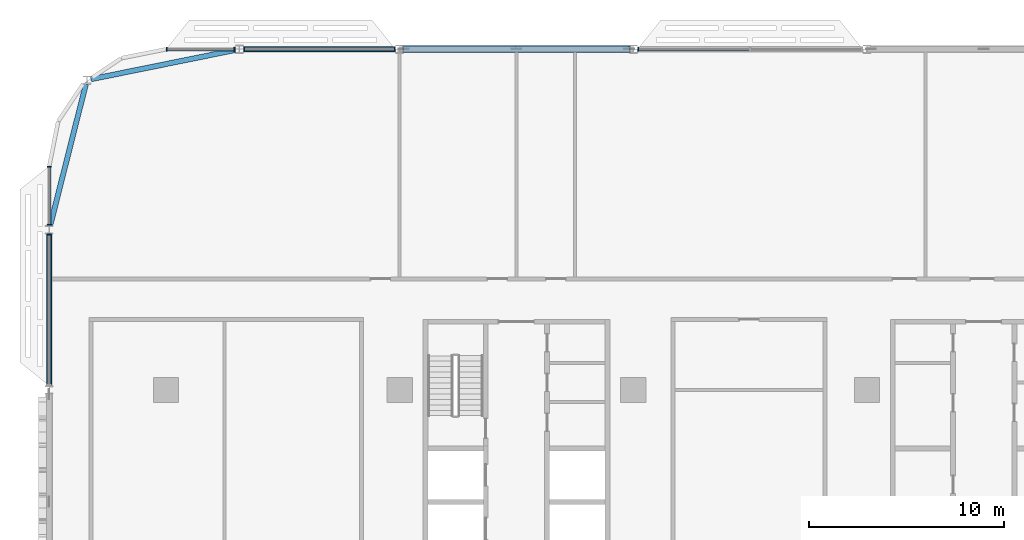
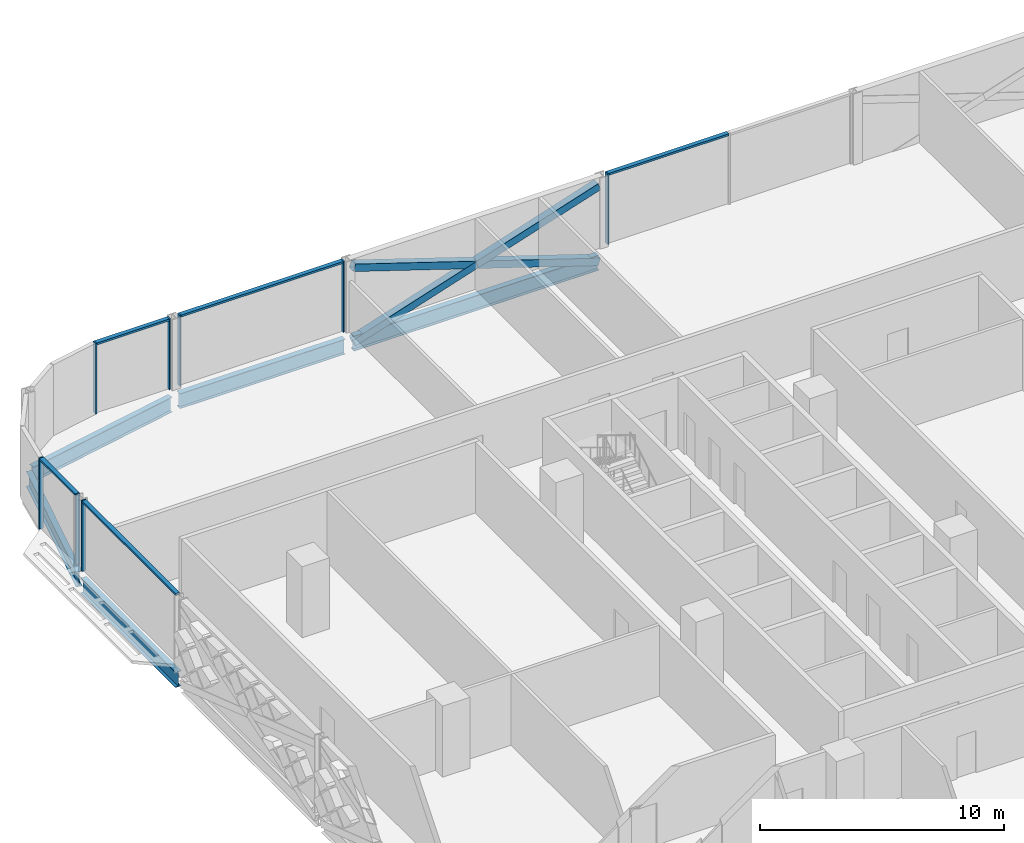
# One storey, part 6 of 29: 16 members, 5 beams, 5 elements without a shape of their own.
"""IFC4 building model written with IfcOpenShell, lengths in metres."""

from ifc_helpers import new_model, si_unit, direction, frame, origin, origin_2d, place, context, subcontext, project, spatial, rectangle, hollow_rectangle, i_section, extrude, material, material_profile, profile_set, type_object, element, aggregate, save


model = new_model("IFC4")

# Units and contexts
model_context = context("Model", 3, precision=1e-05, world=origin(), true_north=direction((0.0, 1.0)))
body_context = subcontext(model_context, "Body", "Model", "MODEL_VIEW")
ifc_project = project(units=[si_unit("LENGTHUNIT", "METRE"), si_unit("AREAUNIT", "SQUARE_METRE"), si_unit("VOLUMEUNIT", "CUBIC_METRE"), si_unit("PLANEANGLEUNIT", "RADIAN"), si_unit("MASSUNIT", "GRAM", prefix="KILO")], contexts=[model_context])

# Site, building, storey
site_placement = place(None, origin())
site = spatial("IfcSite", under=ifc_project, at=site_placement, CompositionType="ELEMENT")
building_placement = place(site_placement, origin())
building = spatial("IfcBuilding", under=site, at=building_placement, Name="Mahtab Terrace Research Tower", CompositionType="ELEMENT")
storey_placement = place(building_placement, frame((0.0, 0.0, 150.699951171875)))
storey = spatial("IfcBuildingStorey", under=building, at=storey_placement, Name="L35", CompositionType="ELEMENT", Elevation=150.699951171875)

# Members
ifc_material_1 = material(Name="Steel ASTM A500 Gr C", Category="steel")
ifc_material_profile_1 = material_profile(ifc_material_1, hollow_rectangle(XDim=0.355712890625, YDim=0.355712890625, WallThickness=0.01904296875, at=origin_2d()), Name="HSS14X14X3/4")
ifc_profile_set_1 = profile_set([ifc_material_profile_1], Name="Steel ASTM A500 Gr C")
member_type_1 = type_object("IfcMemberType", Name="HSS 14x14x3/4 brace XB141434", PredefinedType="BRACE", material=ifc_profile_set_1)
member_1_placement = place(storey_placement, frame((-18.205810546875, 29.0, -0.651611328125), z_axis=(-0.951266203011, 0.0, 0.308370898448), x_axis=(0.0, -1.0, 0.0)))
element("IfcMember", 1, at=member_1_placement, inside=storey, type_object=member_type_1, Name="Exoskeleton brace L35 06 a", PredefinedType="BRACE", context=body_context, shape_type="SweptSolid", body=[
    extrude(hollow_rectangle(XDim=0.355712890625, YDim=0.355712890625, WallThickness=0.01904296875, at=origin_2d()), origin(), (0.0, 0.0, 1.0), 12.18212890625),
])
for number, where, z_axis, x_axis, name in (
    (2, (-29.794189453125, 29.0, -0.651611328125), (0.951272081758, 0.0, 0.308352763029), (0.0, 1.0, 0.0), "Exoskeleton brace L35 06 b1"),
    (3, (-24.0, 29.0, 1.2265625), (0.95126032399, 0.0, 0.308389033531), (0.0, 1.0, 0.0), "Exoskeleton brace L35 06 b2"),
):
    element("IfcMember", number, at=place(storey_placement, frame(where, z_axis=z_axis, x_axis=x_axis)), inside=storey, type_object=member_type_1, Name=name, PredefinedType="BRACE", context=body_context, shape_type="SweptSolid", body=[
        extrude(hollow_rectangle(XDim=0.355712890625, YDim=0.355712890625, WallThickness=0.01904296875, at=origin_2d()), origin(), (0.0, 0.0, 1.0), 6.091064453125),
    ])

# Curtain wall, member
ifc_material_2 = material(Name="Laboratory ribbon curtain wall")
curtain_wall_type = type_object("IfcCurtainWallType", Name="Laboratory ribbon curtain wall", PredefinedType="NOTDEFINED", material=ifc_material_2)
curtain_wall_1_placement = place(storey_placement, origin())
curtain_wall_1 = element("IfcCurtainWall", 4, at=curtain_wall_1_placement, inside=storey, type_object=curtain_wall_type, Name="EN.L35.3.7", PredefinedType="NOTDEFINED")
ifc_material_3 = material(Name="Natural anodised aluminium", Category="aluminium")
ifc_material_profile_2 = material_profile(ifc_material_3, rectangle(XDim=0.199951171875, YDim=0.06494140625, at=origin_2d()), Name="MULLION 65x200")
ifc_profile_set_2 = profile_set([ifc_material_profile_2], Name="Natural anodised aluminium")
member_type_2 = type_object("IfcMemberType", Name="Laboratory ribbon curtain wall mullion", PredefinedType="MULLION", material=ifc_profile_set_2)
member_2_placement = place(storey_placement, frame((-17.74951171875, 29.0, 0.0), z_axis=(0.0, 0.0, 1.0), x_axis=(0.0, -1.0, 0.0)))
member_2 = element("IfcMember", 5, at=member_2_placement, type_object=member_type_2, Name="CWL-4 mullion 3", PredefinedType="MULLION", context=body_context, shape_type="SweptSolid", body=[
    extrude(rectangle(XDim=0.199951171875, YDim=0.06494140625, at=origin_2d()), origin(), (0.0, 0.0, 1.0), 3.550048828125),
])

# Curtain wall, members
curtain_wall_2_placement = place(storey_placement, origin())
curtain_wall_2 = element("IfcCurtainWall", 6, at=curtain_wall_2_placement, inside=storey, type_object=curtain_wall_type, Name="EN.L35.3.9", PredefinedType="NOTDEFINED")
member_3_placement = place(storey_placement, frame((-30.25048828125, 29.0, 0.0), z_axis=(0.0, 0.0, 1.0), x_axis=(0.0, -1.0, 0.0)))
member_3 = element("IfcMember", 7, at=member_3_placement, type_object=member_type_2, Name="CWL-4 mullion 1", PredefinedType="MULLION", context=body_context, shape_type="SweptSolid", body=[
    extrude(rectangle(XDim=0.199951171875, YDim=0.06494140625, at=origin_2d()), origin(), (0.0, 0.0, 1.0), 3.550048828125),
])
member_4_placement = place(storey_placement, frame((-37.98046875, 29.0, 0.0), z_axis=(0.0, 0.0, 1.0), x_axis=(0.0, -1.0, 0.0)))
member_4 = element("IfcMember", 8, at=member_4_placement, type_object=member_type_2, Name="CWL-4 mullion 2", PredefinedType="MULLION", context=body_context, shape_type="SweptSolid", body=[
    extrude(rectangle(XDim=0.199951171875, YDim=0.06494140625, at=origin_2d()), origin(), (0.0, 0.0, 1.0), 3.550048828125),
])

curtain_wall_3_placement = place(storey_placement, origin())
curtain_wall_3 = element("IfcCurtainWall", 9, at=curtain_wall_3_placement, inside=storey, type_object=curtain_wall_type, Name="EN.L35.3.10", PredefinedType="NOTDEFINED")
member_5_placement = place(storey_placement, frame((-38.4814453125, 29.0, 0.0), z_axis=(0.0, 0.0, 1.0), x_axis=(0.0, -1.0, 0.0)))
member_5 = element("IfcMember", 10, at=member_5_placement, type_object=member_type_2, Name="CWL-4 mullion 1", PredefinedType="MULLION", context=body_context, shape_type="SweptSolid", body=[
    extrude(rectangle(XDim=0.199951171875, YDim=0.06494140625, at=origin_2d()), origin(), (0.0, 0.0, 1.0), 3.550048828125),
])
member_6_placement = place(storey_placement, frame((-41.967529296875, 29.0, 0.0), z_axis=(0.0, 0.0, 1.0), x_axis=(0.0, -1.0, 0.0)))
member_6 = element("IfcMember", 11, at=member_6_placement, type_object=member_type_2, Name="CWL-4 mullion 2", PredefinedType="MULLION", context=body_context, shape_type="SweptSolid", body=[
    extrude(rectangle(XDim=0.199951171875, YDim=0.06494140625, at=origin_2d()), origin(), (0.0, 0.0, 1.0), 3.550048828125),
])

curtain_wall_4_placement = place(storey_placement, origin())
curtain_wall_4 = element("IfcCurtainWall", 12, at=curtain_wall_4_placement, inside=storey, type_object=curtain_wall_type, Name="EN.L35.8.15", PredefinedType="NOTDEFINED")
member_7_placement = place(storey_placement, frame((-48.0, 22.967529296875, 0.0), z_axis=(0.0, 0.0, 1.0), x_axis=(1.0, 0.0, 0.0)))
member_7 = element("IfcMember", 13, at=member_7_placement, type_object=member_type_2, Name="CWL-4 mullion 1", PredefinedType="MULLION", context=body_context, shape_type="SweptSolid", body=[
    extrude(rectangle(XDim=0.199951171875, YDim=0.06494140625, at=origin_2d()), origin(), (0.0, 0.0, 1.0), 3.550048828125),
])
member_8_placement = place(storey_placement, frame((-48.0, 19.9814453125, 0.0), z_axis=(0.0, 0.0, 1.0), x_axis=(1.0, 0.0, 0.0)))
member_8 = element("IfcMember", 14, at=member_8_placement, type_object=member_type_2, Name="CWL-4 mullion 2", PredefinedType="MULLION", context=body_context, shape_type="SweptSolid", body=[
    extrude(rectangle(XDim=0.199951171875, YDim=0.06494140625, at=origin_2d()), origin(), (0.0, 0.0, 1.0), 3.550048828125),
])

# Curtain wall, member
curtain_wall_5_placement = place(storey_placement, origin())
curtain_wall_5 = element("IfcCurtainWall", 15, at=curtain_wall_5_placement, inside=storey, type_object=curtain_wall_type, Name="EN.L35.8.16", PredefinedType="NOTDEFINED")
member_9_placement = place(storey_placement, frame((-48.0, 19.48046875, 0.0), z_axis=(0.0, 0.0, 1.0), x_axis=(1.0, 0.0, 0.0)))
member_9 = element("IfcMember", 16, at=member_9_placement, type_object=member_type_2, Name="CWL-4 mullion 1", PredefinedType="MULLION", context=body_context, shape_type="SweptSolid", body=[
    extrude(rectangle(XDim=0.199951171875, YDim=0.06494140625, at=origin_2d()), origin(), (0.0, 0.0, 1.0), 3.550048828125),
])

# Member
ifc_material_profile_3 = material_profile(ifc_material_3, rectangle(XDim=0.199951171875, YDim=0.10009765625, at=origin_2d()), Name="TRANSOM 100x200")
ifc_profile_set_3 = profile_set([ifc_material_profile_3], Name="Natural anodised aluminium")
member_type_3 = type_object("IfcMemberType", Name="Laboratory ribbon curtain wall transom", PredefinedType="USERDEFINED", material=ifc_profile_set_3)
member_10_placement = place(storey_placement, frame((-12.032470703125, 29.0, 3.5), z_axis=(-1.0, 0.0, 0.0), x_axis=(0.0, -1.0, 0.0)))
member_10 = element("IfcMember", 17, at=member_10_placement, type_object=member_type_3, Name="CWL-4 transom 2", ObjectType="TRANSOM", PredefinedType="USERDEFINED", context=body_context, shape_type="SweptSolid", body=[
    extrude(rectangle(XDim=0.199951171875, YDim=0.10009765625, at=origin_2d()), origin(), (0.0, 0.0, 1.0), 5.6845703125),
])

aggregate(curtain_wall_1, [member_2, member_10])

member_11_placement = place(storey_placement, frame((-30.282958984375, 29.0, 3.5), z_axis=(-1.0, 0.0, 0.0), x_axis=(0.0, -1.0, 0.0)))
member_11 = element("IfcMember", 18, at=member_11_placement, type_object=member_type_3, Name="CWL-4 transom 1", ObjectType="TRANSOM", PredefinedType="USERDEFINED", context=body_context, shape_type="SweptSolid", body=[
    extrude(rectangle(XDim=0.199951171875, YDim=0.10009765625, at=origin_2d()), origin(), (0.0, 0.0, 1.0), 7.6650390625),
])

aggregate(curtain_wall_2, [member_3, member_4, member_11])

member_12_placement = place(storey_placement, frame((-38.513916015625, 29.0, 3.5), z_axis=(-1.0, 0.0, 0.0), x_axis=(0.0, -1.0, 0.0)))
member_12 = element("IfcMember", 19, at=member_12_placement, type_object=member_type_3, Name="CWL-4 transom 1", ObjectType="TRANSOM", PredefinedType="USERDEFINED", context=body_context, shape_type="SweptSolid", body=[
    extrude(rectangle(XDim=0.199951171875, YDim=0.10009765625, at=origin_2d()), origin(), (0.0, 0.0, 1.0), 3.421142578125),
])

aggregate(curtain_wall_3, [member_5, member_6, member_12])

member_13_placement = place(storey_placement, frame((-48.0, 22.93505859375, 3.5), z_axis=(0.0, -1.0, 0.0), x_axis=(1.0, 0.0, 0.0)))
member_13 = element("IfcMember", 20, at=member_13_placement, type_object=member_type_3, Name="CWL-4 transom 1", ObjectType="TRANSOM", PredefinedType="USERDEFINED", context=body_context, shape_type="SweptSolid", body=[
    extrude(rectangle(XDim=0.199951171875, YDim=0.10009765625, at=origin_2d()), origin(), (0.0, 0.0, 1.0), 2.921142578125),
])

aggregate(curtain_wall_4, [member_7, member_8, member_13])

member_14_placement = place(storey_placement, frame((-48.0, 19.447998046875, 3.5), z_axis=(0.0, -1.0, 0.0), x_axis=(1.0, 0.0, 0.0)))
member_14 = element("IfcMember", 21, at=member_14_placement, type_object=member_type_3, Name="CWL-4 transom 1", ObjectType="TRANSOM", PredefinedType="USERDEFINED", context=body_context, shape_type="SweptSolid", body=[
    extrude(rectangle(XDim=0.199951171875, YDim=0.10009765625, at=origin_2d()), origin(), (0.0, 0.0, 1.0), 7.6650390625),
])

aggregate(curtain_wall_5, [member_9, member_14])

# Beams
ifc_material_4 = material(Name="Steel ASTM A992 Gr 50", Category="steel")
ifc_material_profile_4 = material_profile(ifc_material_4, i_section(OverallWidth=0.2666015625, OverallDepth=0.7568359375, WebThickness=0.013916015625, FlangeThickness=0.019287109375, at=origin_2d()), Name="W30X108")
ifc_profile_set_4 = profile_set([ifc_material_profile_4], Name="Steel ASTM A992 Gr 50")
beam_type = type_object("IfcBeamType", Name="W30x108 beam BS30108", PredefinedType="BEAM", material=ifc_profile_set_4)
beam_1_placement = place(storey_placement, frame((-18.205810546875, 29.0, -0.718505859375), z_axis=(-1.0, 0.0, 0.0), x_axis=(0.0, -1.0, 0.0)))
element("IfcBeam", 22, at=beam_1_placement, inside=storey, type_object=beam_type, Name="Spandrel beam L35 06", PredefinedType="BEAM", context=body_context, shape_type="SweptSolid", body=[
    extrude(i_section(OverallWidth=0.2666015625, OverallDepth=0.7568359375, WebThickness=0.013916015625, FlangeThickness=0.019287109375, at=origin_2d()), origin(), (0.0, 0.0, 1.0), 11.58837890625),
])
beam_2_placement = place(storey_placement, frame((-30.205810546875, 29.0, -0.718505859375), z_axis=(-1.0, 0.0, 0.0), x_axis=(0.0, -1.0, 0.0)))
element("IfcBeam", 23, at=beam_2_placement, inside=storey, type_object=beam_type, Name="Spandrel beam L35 07", PredefinedType="BEAM", context=body_context, shape_type="SweptSolid", body=[
    extrude(i_section(OverallWidth=0.2666015625, OverallDepth=0.7568359375, WebThickness=0.013916015625, FlangeThickness=0.019287109375, at=origin_2d()), origin(), (0.0, 0.0, 1.0), 7.8193359375),
])
beam_3_placement = place(storey_placement, frame((-38.436767578125, 28.95849609375, -0.718505859375), z_axis=(-0.980144108674, -0.198286475161, 0.0), x_axis=(0.198286475161, -0.980144108674, 0.0)))
element("IfcBeam", 24, at=beam_3_placement, inside=storey, type_object=beam_type, Name="Spandrel beam L35 08", PredefinedType="BEAM", context=body_context, shape_type="SweptSolid", body=[
    extrude(i_section(OverallWidth=0.2666015625, OverallDepth=0.7568359375, WebThickness=0.013916015625, FlangeThickness=0.019287109375, at=origin_2d()), origin(), (0.0, 0.0, 1.0), 7.56982421875),
])
beam_4_placement = place(storey_placement, frame((-46.11669921875, 27.19873046875, -0.718505859375), z_axis=(-0.244547874366, -0.969637219347, 0.0), x_axis=(0.969637219347, -0.244547874366, 0.0)))
element("IfcBeam", 25, at=beam_4_placement, inside=storey, type_object=beam_type, Name="Spandrel beam L35 09", PredefinedType="BEAM", context=body_context, shape_type="SweptSolid", body=[
    extrude(i_section(OverallWidth=0.2666015625, OverallDepth=0.7568359375, WebThickness=0.013916015625, FlangeThickness=0.019287109375, at=origin_2d()), origin(), (0.0, 0.0, 1.0), 7.4775390625),
])
beam_5_placement = place(storey_placement, frame((-48.0, 19.513916015625, -0.718505859375), z_axis=(0.0, -1.0, 0.0), x_axis=(1.0, 0.0, 0.0)))
element("IfcBeam", 26, at=beam_5_placement, inside=storey, type_object=beam_type, Name="Spandrel beam L35 10", PredefinedType="BEAM", context=body_context, shape_type="SweptSolid", body=[
    extrude(i_section(OverallWidth=0.2666015625, OverallDepth=0.7568359375, WebThickness=0.013916015625, FlangeThickness=0.019287109375, at=origin_2d()), origin(), (0.0, 0.0, 1.0), 7.796875),
])

save(model, "model.ifc")
